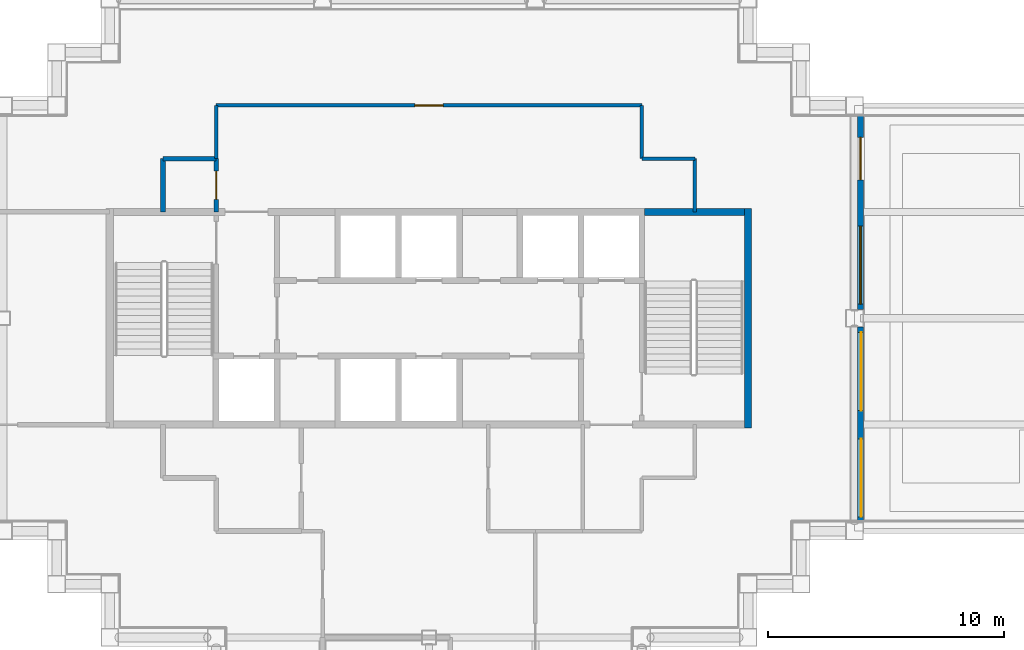
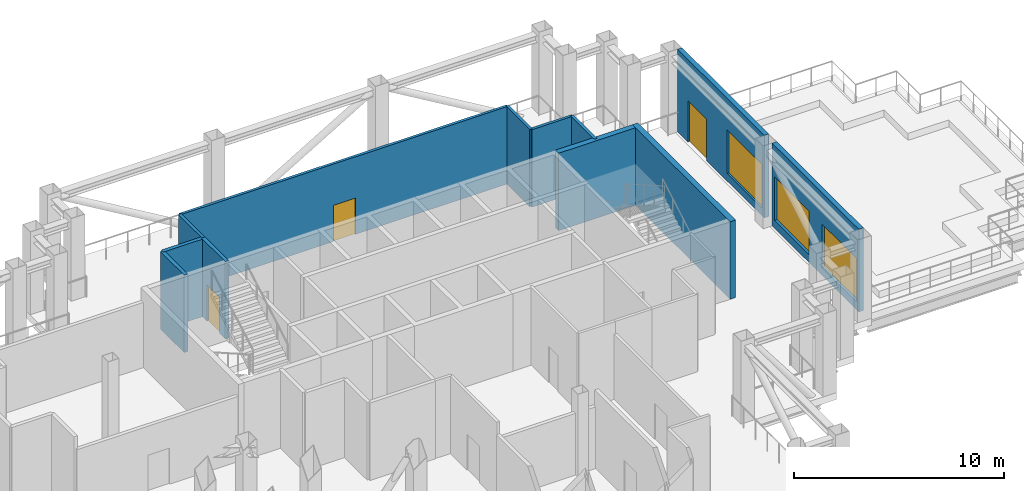
# One storey, part 4 of 10: 12 walls, 3 doors, 3 windows, 6 openings.
"""IFC4 building model written with IfcOpenShell, lengths in metres."""

from ifc_helpers import new_model, si_unit, direction, frame, frame_2d, origin, place, context, subcontext, project, spatial, rectangle, extrude, material, layer, layer_set, type_object, element, fill, save


model = new_model("IFC4")

# Units and contexts
model_context = context("Model", 3, precision=1e-05, world=origin(), true_north=direction((0.0, 1.0)))
body_context = subcontext(model_context, "Body", "Model", "MODEL_VIEW")
ifc_project = project(units=[si_unit("LENGTHUNIT", "METRE"), si_unit("AREAUNIT", "SQUARE_METRE"), si_unit("VOLUMEUNIT", "CUBIC_METRE"), si_unit("PLANEANGLEUNIT", "RADIAN"), si_unit("MASSUNIT", "GRAM", prefix="KILO")], contexts=[model_context])

# Site, building, storey
site_placement = place(None, origin())
site = spatial("IfcSite", under=ifc_project, at=site_placement, CompositionType="ELEMENT")
building_placement = place(site_placement, origin())
building = spatial("IfcBuilding", under=site, at=building_placement, Name="Caravel Reach Hotel and Residences", CompositionType="ELEMENT")
storey_placement = place(building_placement, frame((0.0, 0.0, 187.60009765625)))
storey = spatial("IfcBuildingStorey", under=building, at=storey_placement, Name="L47", CompositionType="ELEMENT", Elevation=187.60009765625)

# Walls
ifc_material_1 = material(Name="Autoclaved aerated block wall")
ifc_layer_1 = layer(ifc_material_1, 0.199951171875)
ifc_layer_set_1 = layer_set([ifc_layer_1], Name="Compartment wall 200 mm EI 120")
wall_type_1 = type_object("IfcWallType", Name="Compartment wall 200 mm EI 120", PredefinedType="PARTITIONING", material=ifc_layer_set_1)
for number, where, z_axis, x_axis, name in (
    (1, (20.25, 33.75, 0.0), (0.0, 0.0, 1.0), (1.0, 0.0, 0.0), "L47 wall w027"),
    (2, (20.25, 31.5, 0.0), (0.0, 0.0, 1.0), (0.0, 1.0, 0.0), "L47 wall w031"),
):
    element("IfcWall", number, at=place(storey_placement, frame(where, z_axis=z_axis, x_axis=x_axis)), inside=storey, type_object=wall_type_1, Name=name, PredefinedType="PARTITIONING", context=body_context, shape_type="SweptSolid", body=[
        extrude(rectangle(XDim=2.25, YDim=0.199951171875, at=frame_2d((1.125, 0.0))), origin(), (0.0, 0.0, 1.0), 4.5),
    ])

# Wall, opening, door
wall_1_placement = place(storey_placement, frame((22.5, 31.5, 0.0), z_axis=(0.0, 0.0, 1.0), x_axis=(0.0, 1.0, 0.0)))
wall_1 = element("IfcWall", 3, at=wall_1_placement, inside=storey, type_object=wall_type_1, Name="L47 wall w033", PredefinedType="PARTITIONING", context=body_context, shape_type="SweptSolid", body=[
    extrude(rectangle(XDim=2.25, YDim=0.199951171875, at=frame_2d((1.125, 0.0))), origin(), (0.0, 0.0, 1.0), 4.5),
])
opening_1_placement = place(wall_1_placement, frame((0.52490234375, 0.0, 0.0)))
opening_1 = element("IfcOpeningElement", 4, at=opening_1_placement, cuts=wall_1, Name="Opening D47-018", PredefinedType="OPENING", context=body_context, shape_type="SweptSolid", body=[
    extrude(rectangle(XDim=1.199951171875, YDim=2.10009765625, at=frame_2d((0.60009765625, 1.050048828125))), frame((0.0, 0.10986328125, 0.0), z_axis=(0.0, -1.0, 0.0), x_axis=(1.0, 0.0, 0.0)), (0.0, 0.0, 1.0), 0.219970703125),
])
ifc_material_2 = material(Name="Steel fire door leaf", Category="steel")
door_type_1 = type_object("IfcDoorType", Name="Plant room door 1200 x 2100 EI 60", OperationType="SINGLE_SWING_LEFT", PredefinedType="DOOR", material=ifc_material_2)
door_1_placement = place(opening_1_placement, origin())
door_1 = element("IfcDoor", 5, at=door_1_placement, inside=storey, type_object=door_type_1, Name="door D47-018", OperationType="SINGLE_SWING_RIGHT", OverallHeight=2.10009765625, OverallWidth=1.199951171875, PredefinedType="DOOR", context=body_context, shape_type="SweptSolid", body=[
    extrude(rectangle(XDim=1.199951171875, YDim=2.10009765625, at=frame_2d((0.60009765625, 1.050048828125))), frame((0.0, 0.02490234375, 0.0), z_axis=(0.0, -1.0, 0.0), x_axis=(1.0, 0.0, 0.0)), (0.0, 0.0, 1.0), 0.050048828125),
])
fill(opening_1, door_1)

# Walls
ifc_material_3 = material(Name="Concrete C60", Category="concrete")
ifc_layer_2 = layer(ifc_material_3, 0.300048828125)
ifc_layer_set_2 = layer_set([ifc_layer_2], Name="Core wall 300 mm EI 120")
wall_type_2 = type_object("IfcWallType", Name="Core wall 300 mm EI 120", PredefinedType="SHEAR", material=ifc_layer_set_2)
wall_2_placement = place(storey_placement, frame((40.625, 31.5, 0.0), z_axis=(0.0, 0.0, 1.0), x_axis=(1.0, 0.0, 0.0)))
element("IfcWall", 6, at=wall_2_placement, inside=storey, type_object=wall_type_2, Name="L47 core wall N3", PredefinedType="SHEAR", context=body_context, shape_type="SweptSolid", body=[
    extrude(rectangle(XDim=4.22509765625, YDim=0.300048828125, at=frame_2d((2.112548828125, 0.0))), origin(), (0.0, 0.0, 1.0), 4.5),
])
wall_3_placement = place(storey_placement, frame((45.0, 22.35009765625, 0.0), z_axis=(0.0, 0.0, 1.0), x_axis=(0.0, 1.0, 0.0)))
element("IfcWall", 7, at=wall_3_placement, inside=storey, type_object=wall_type_2, Name="L47 core wall E", PredefinedType="SHEAR", context=body_context, shape_type="SweptSolid", body=[
    extrude(rectangle(XDim=9.2998046875, YDim=0.300048828125, at=frame_2d((4.64990234375, 0.0))), origin(), (0.0, 0.0, 1.0), 4.5),
])
ifc_material_4 = material(Name="Gypsum board on steel stud, fire-rated", Category="steel")
ifc_layer_3 = layer(ifc_material_4, 0.14990234375)
ifc_layer_set_3 = layer_set([ifc_layer_3], Name="Corridor wall 150 mm EI 60")
wall_type_3 = type_object("IfcWallType", Name="Corridor wall 150 mm EI 60", PredefinedType="PARTITIONING", material=ifc_layer_set_3)
wall_4_placement = place(storey_placement, frame((40.5, 33.75, 0.0), z_axis=(0.0, 0.0, 1.0), x_axis=(1.0, 0.0, 0.0)))
element("IfcWall", 8, at=wall_4_placement, inside=storey, type_object=wall_type_3, Name="L47 wall w006", PredefinedType="PARTITIONING", context=body_context, shape_type="SweptSolid", body=[
    extrude(rectangle(XDim=2.25, YDim=0.14990234375, at=frame_2d((1.125, 0.0))), origin(), (0.0, 0.0, 1.0), 4.5),
])

# Wall, opening, door
wall_5_placement = place(storey_placement, frame((22.5, 36.0, 0.0), z_axis=(0.0, 0.0, 1.0), x_axis=(1.0, 0.0, 0.0)))
wall_5 = element("IfcWall", 9, at=wall_5_placement, inside=storey, type_object=wall_type_3, Name="L47 wall w007", PredefinedType="PARTITIONING", context=body_context, shape_type="SweptSolid", body=[
    extrude(rectangle(XDim=18.0, YDim=0.14990234375, at=frame_2d((9.0, 0.0))), origin(), (0.0, 0.0, 1.0), 4.5),
])
opening_2_placement = place(wall_5_placement, frame((8.39990234375, 0.0, 0.0)))
opening_2 = element("IfcOpeningElement", 10, at=opening_2_placement, cuts=wall_5, Name="Opening D47-023", PredefinedType="OPENING", context=body_context, shape_type="SweptSolid", body=[
    extrude(rectangle(XDim=1.199951171875, YDim=2.10009765625, at=frame_2d((0.60009765625, 1.050048828125))), frame((0.0, 0.0849609375, 0.0), z_axis=(0.0, -1.0, 0.0), x_axis=(1.0, 0.0, 0.0)), (0.0, 0.0, 1.0), 0.169921875),
])
ifc_material_5 = material(Name="Steel fire door leaf", Category="steel")
door_type_2 = type_object("IfcDoorType", Name="Refuge hall door 1200 x 2100 EI 60", OperationType="SINGLE_SWING_LEFT", PredefinedType="DOOR", material=ifc_material_5)
door_2_placement = place(opening_2_placement, origin())
door_2 = element("IfcDoor", 11, at=door_2_placement, inside=storey, type_object=door_type_2, Name="door D47-023", OperationType="SINGLE_SWING_LEFT", OverallHeight=2.10009765625, OverallWidth=1.199951171875, PredefinedType="DOOR", context=body_context, shape_type="SweptSolid", body=[
    extrude(rectangle(XDim=1.199951171875, YDim=2.10009765625, at=frame_2d((0.60009765625, 1.050048828125))), frame((0.0, 0.02490234375, 0.0), z_axis=(0.0, -1.0, 0.0), x_axis=(1.0, 0.0, 0.0)), (0.0, 0.0, 1.0), 0.050048828125),
])
fill(opening_2, door_2)

# Walls
for number, where, z_axis, x_axis, name in (
    (12, (22.5, 33.75, 0.0), (0.0, 0.0, 1.0), (0.0, 1.0, 0.0), "L47 wall w010"),
    (13, (40.5, 33.75, 0.0), (0.0, 0.0, 1.0), (0.0, 1.0, 0.0), "L47 wall w016"),
    (14, (42.75, 31.5, 0.0), (0.0, 0.0, 1.0), (0.0, 1.0, 0.0), "L47 wall w018"),
):
    element("IfcWall", number, at=place(storey_placement, frame(where, z_axis=z_axis, x_axis=x_axis)), inside=storey, type_object=wall_type_3, Name=name, PredefinedType="PARTITIONING", context=body_context, shape_type="SweptSolid", body=[
        extrude(rectangle(XDim=2.25, YDim=0.14990234375, at=frame_2d((1.125, 0.0))), origin(), (0.0, 0.0, 1.0), 4.5),
    ])

# Wall, openings, windows
ifc_material_6 = material(Name="Insulated rainscreen wall, aluminium cladding", Category="aluminium")
ifc_layer_4 = layer(ifc_material_6, 0.25)
ifc_layer_set_4 = layer_set([ifc_layer_4], Name="EW1 Tower rainscreen wall")
wall_type_4 = type_object("IfcWallType", Name="EW1 Tower rainscreen wall", PredefinedType="SOLIDWALL", material=ifc_layer_set_4)
wall_6_placement = place(storey_placement, frame((49.75, 18.375, 0.0), z_axis=(0.0, 0.0, 1.0), x_axis=(0.0, 1.0, 0.0)))
wall_6 = element("IfcWall", 15, at=wall_6_placement, inside=storey, type_object=wall_type_4, Name="External wall L47 E6.1", PredefinedType="SOLIDWALL", context=body_context, shape_type="SweptSolid", body=[
    extrude(rectangle(XDim=8.25, YDim=0.25, at=frame_2d((4.125, 0.0))), origin(), (0.0, 0.0, 1.0), 4.7998046875),
])
opening_3_placement = place(wall_6_placement, frame((0.22509765625, 0.0, 0.449951171875)))
opening_3 = element("IfcOpeningElement", 16, at=opening_3_placement, cuts=wall_6, Name="Opening WN29", PredefinedType="OPENING", context=body_context, shape_type="SweptSolid", body=[
    extrude(rectangle(XDim=3.300048828125, YDim=2.530029296875, at=frame_2d((1.64990234375, 1.26513671875))), frame((0.0, 0.135009765625, 0.0), z_axis=(0.0, -1.0, 0.0), x_axis=(1.0, 0.0, 0.0)), (0.0, 0.0, 1.0), 0.27001953125),
])
opening_4_placement = place(wall_6_placement, frame((4.72509765625, 0.0, 0.449951171875)))
opening_4 = element("IfcOpeningElement", 17, at=opening_4_placement, cuts=wall_6, Name="Opening WN29", PredefinedType="OPENING", context=body_context, shape_type="SweptSolid", body=[
    extrude(rectangle(XDim=3.300048828125, YDim=2.530029296875, at=frame_2d((1.64990234375, 1.26513671875))), frame((0.0, 0.135009765625, 0.0), z_axis=(0.0, -1.0, 0.0), x_axis=(1.0, 0.0, 0.0)), (0.0, 0.0, 1.0), 0.27001953125),
])
ifc_material_7 = material(Name="Dark low-e glazing in black aluminium frame", Category="aluminium")
window_type = type_object("IfcWindowType", Name="Refuge lounge window 3300 x 2530", PartitioningType="SINGLE_PANEL", PredefinedType="WINDOW", material=ifc_material_7)
window_1_placement = place(opening_3_placement, origin())
window_1 = element("IfcWindow", 18, at=window_1_placement, inside=storey, type_object=window_type, Name="Window L47 E6.1.1", OverallHeight=2.530029296875, OverallWidth=3.300048828125, PartitioningType="SINGLE_PANEL", PredefinedType="WINDOW", context=body_context, shape_type="SweptSolid", body=[
    extrude(rectangle(XDim=3.300048828125, YDim=2.530029296875, at=frame_2d((1.64990234375, 1.26513671875))), frame((0.0, -0.0185546875, 0.0), z_axis=(0.0, -1.0, 0.0), x_axis=(1.0, 0.0, 0.0)), (0.0, 0.0, 1.0), 0.030029296875),
])
fill(opening_3, window_1)
window_2_placement = place(opening_4_placement, origin())
window_2 = element("IfcWindow", 19, at=window_2_placement, inside=storey, type_object=window_type, Name="Window L47 E6.1.2", OverallHeight=2.530029296875, OverallWidth=3.300048828125, PartitioningType="SINGLE_PANEL", PredefinedType="WINDOW", context=body_context, shape_type="SweptSolid", body=[
    extrude(rectangle(XDim=3.300048828125, YDim=2.530029296875, at=frame_2d((1.64990234375, 1.26513671875))), frame((0.0, -0.0185546875, 0.0), z_axis=(0.0, -1.0, 0.0), x_axis=(1.0, 0.0, 0.0)), (0.0, 0.0, 1.0), 0.030029296875),
])
fill(opening_4, window_2)

# Wall, openings, window, door
wall_7_placement = place(storey_placement, frame((49.75, 27.375, 0.0), z_axis=(0.0, 0.0, 1.0), x_axis=(0.0, 1.0, 0.0)))
wall_7 = element("IfcWall", 20, at=wall_7_placement, inside=storey, type_object=wall_type_4, Name="External wall L47 E6.2", PredefinedType="SOLIDWALL", context=body_context, shape_type="SweptSolid", body=[
    extrude(rectangle(XDim=8.25, YDim=0.25, at=frame_2d((4.125, 0.0))), origin(), (0.0, 0.0, 1.0), 4.7998046875),
])
opening_5_placement = place(wall_7_placement, frame((0.22509765625, 0.0, 0.449951171875)))
opening_5 = element("IfcOpeningElement", 21, at=opening_5_placement, cuts=wall_7, Name="Opening WN29", PredefinedType="OPENING", context=body_context, shape_type="SweptSolid", body=[
    extrude(rectangle(XDim=3.300048828125, YDim=2.530029296875, at=frame_2d((1.64990234375, 1.26513671875))), frame((0.0, 0.135009765625, 0.0), z_axis=(0.0, -1.0, 0.0), x_axis=(1.0, 0.0, 0.0)), (0.0, 0.0, 1.0), 0.27001953125),
])
opening_6_placement = place(wall_7_placement, frame((5.47509765625, 0.0, 0.0)))
opening_6 = element("IfcOpeningElement", 22, at=opening_6_placement, cuts=wall_7, Name="Opening D47-812", PredefinedType="OPENING", context=body_context, shape_type="SweptSolid", body=[
    extrude(rectangle(XDim=1.800048828125, YDim=2.39990234375, at=frame_2d((0.89990234375, 1.199951171875))), frame((0.0, 0.135009765625, 0.0), z_axis=(0.0, -1.0, 0.0), x_axis=(1.0, 0.0, 0.0)), (0.0, 0.0, 1.0), 0.27001953125),
])
window_3_placement = place(opening_5_placement, origin())
window_3 = element("IfcWindow", 23, at=window_3_placement, inside=storey, type_object=window_type, Name="Window L47 E6.2.1", OverallHeight=2.530029296875, OverallWidth=3.300048828125, PartitioningType="SINGLE_PANEL", PredefinedType="WINDOW", context=body_context, shape_type="SweptSolid", body=[
    extrude(rectangle(XDim=3.300048828125, YDim=2.530029296875, at=frame_2d((1.64990234375, 1.26513671875))), frame((0.0, 0.030029296875, 0.0), z_axis=(0.0, -1.0, 0.0), x_axis=(1.0, 0.0, 0.0)), (0.0, 0.0, 1.0), 0.06005859375),
])
fill(opening_5, window_3)
ifc_material_8 = material(Name="Dark glazed door in black aluminium frame", Category="aluminium")
door_type_3 = type_object("IfcDoorType", Name="Terrace door 1800 x 2400", OperationType="DOUBLE_DOOR_SINGLE_SWING", PredefinedType="DOOR", material=ifc_material_8)
door_3_placement = place(opening_6_placement, origin())
door_3 = element("IfcDoor", 24, at=door_3_placement, inside=storey, type_object=door_type_3, Name="Door D47-812", OperationType="DOUBLE_DOOR_SINGLE_SWING", OverallHeight=2.39990234375, OverallWidth=1.800048828125, PredefinedType="DOOR", context=body_context, shape_type="SweptSolid", body=[
    extrude(rectangle(XDim=1.800048828125, YDim=2.39990234375, at=frame_2d((0.89990234375, 1.199951171875))), frame((0.0, 0.02490234375, 0.0), z_axis=(0.0, -1.0, 0.0), x_axis=(1.0, 0.0, 0.0)), (0.0, 0.0, 1.0), 0.050048828125),
])
fill(opening_6, door_3)

save(model, "model.ifc")
